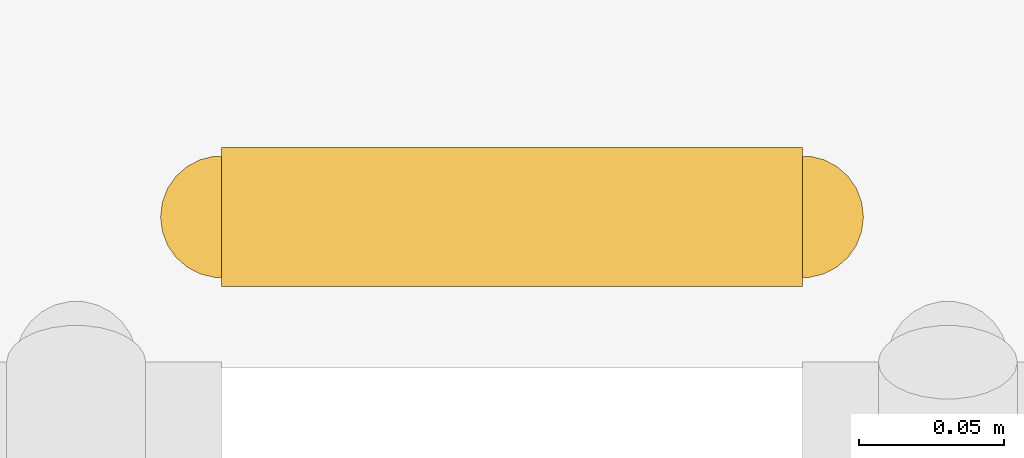
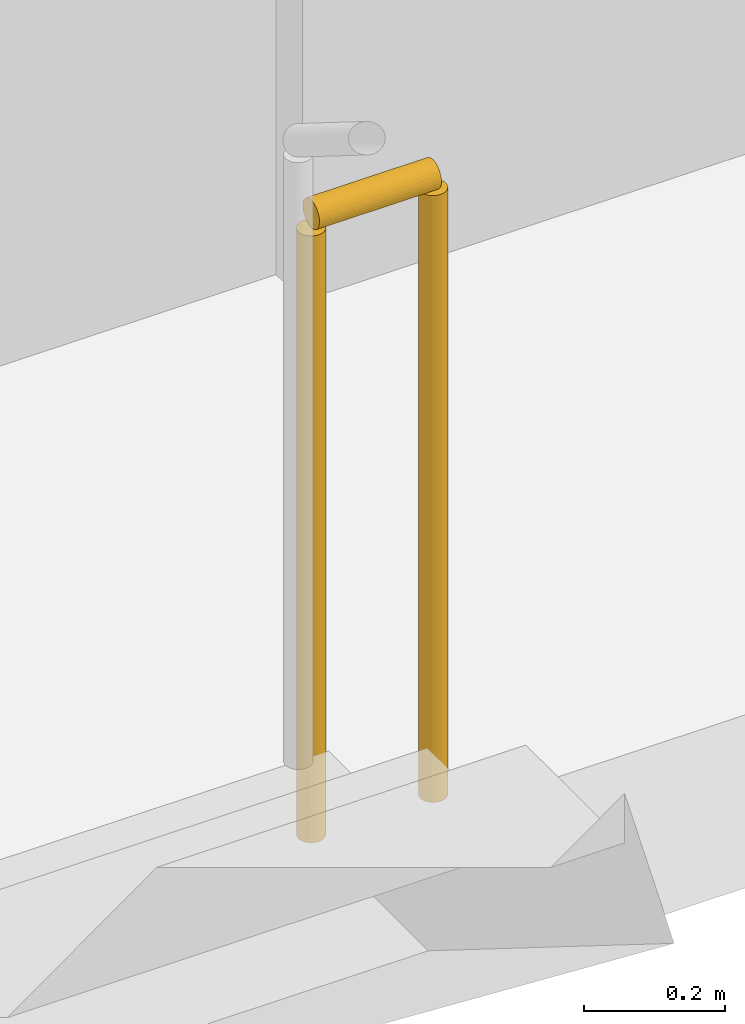
# One storey, part 20 of 22: 1 railing.
"""IFC4 building model written with IfcOpenShell, lengths in metres."""

from ifc_helpers import new_model, si_unit, direction, frame, origin, origin_2d, place, context, subcontext, project, spatial, circle, extrude, material, type_object, element, save


model = new_model("IFC4")

# Units and contexts
model_context = context("Model", 3, precision=1e-05, world=origin(), true_north=direction((0.0, 1.0)))
body_context = subcontext(model_context, "Body", "Model", "MODEL_VIEW")
ifc_project = project(units=[si_unit("LENGTHUNIT", "METRE"), si_unit("AREAUNIT", "SQUARE_METRE"), si_unit("VOLUMEUNIT", "CUBIC_METRE"), si_unit("PLANEANGLEUNIT", "RADIAN"), si_unit("MASSUNIT", "GRAM", prefix="KILO")], contexts=[model_context])

# Site, building, storey
site_placement = place(None, origin())
site = spatial("IfcSite", under=ifc_project, at=site_placement, CompositionType="ELEMENT")
building_placement = place(site_placement, origin())
building = spatial("IfcBuilding", under=site, at=building_placement, Name="Kiln Ring Residences", CompositionType="ELEMENT")
storey_placement = place(building_placement, frame((0.0, 0.0, 58.5)))
storey = spatial("IfcBuildingStorey", under=building, at=storey_placement, Name="L14", CompositionType="ELEMENT", Elevation=58.5)

# Railing
ifc_material = material(Name="Stainless steel", Category="steel")
railing_type = type_object("IfcRailingType", Name="CORE-STAIR-GUARD", PredefinedType="GUARDRAIL", material=ifc_material)
railing_placement = place(storey_placement, frame((-22.199951171875, 8.449951171875, 0.0)))
element("IfcRailing", 1, at=railing_placement, inside=storey, type_object=railing_type, Name="L14 W-STN stair guard 4", PredefinedType="GUARDRAIL", context=body_context, shape_type="SweptSolid", body=[
    extrude(circle(Radius=0.02392578125, at=origin_2d()), frame((0.0, 0.0, 1.076171875), z_axis=(1.0, 0.0, 0.0), x_axis=(0.0, 1.0, 0.0)), (0.0, 0.0, 1.0), 0.199951171875),
    extrude(circle(Radius=0.02099609375, at=origin_2d()), origin(), (0.0, 0.0, 1.0), 1.052001953125),
    extrude(circle(Radius=0.02099609375, at=origin_2d()), frame((0.199951171875, 0.0, 0.0)), (0.0, 0.0, 1.0), 1.052001953125),
])

save(model, "model.ifc")
